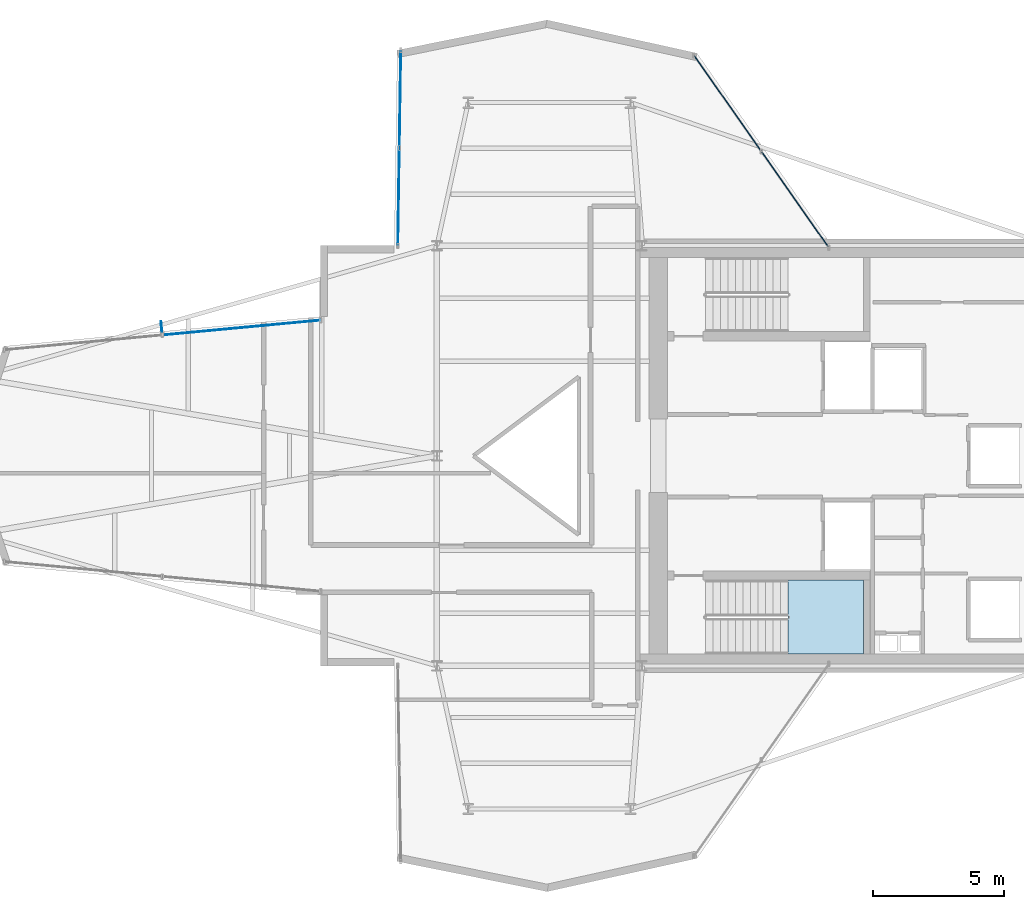
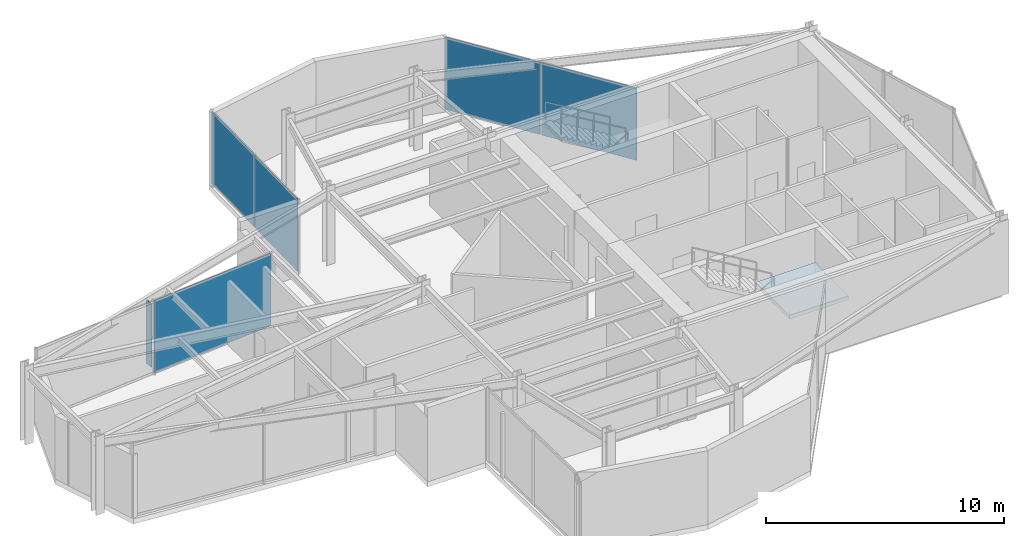
# One storey, part 18 of 22: 6 plates, 1 slab, 4 elements without a shape of their own.
"""IFC4 building model written with IfcOpenShell, lengths in metres."""

from ifc_helpers import new_model, si_unit, direction, frame, origin, origin_2d, place, context, subcontext, project, spatial, polyline, rectangle, outline, extrude, material, layer, layer_set, type_object, element, aggregate, save


model = new_model("IFC4")

# Units and contexts
model_context = context("Model", 3, precision=1e-05, world=origin(), true_north=direction((0.0, 1.0)))
body_context = subcontext(model_context, "Body", "Model", "MODEL_VIEW")
ifc_project = project(units=[si_unit("LENGTHUNIT", "METRE"), si_unit("AREAUNIT", "SQUARE_METRE"), si_unit("VOLUMEUNIT", "CUBIC_METRE"), si_unit("PLANEANGLEUNIT", "RADIAN"), si_unit("MASSUNIT", "GRAM", prefix="KILO")], contexts=[model_context])

# Site, building, storey
site_placement = place(None, origin())
site = spatial("IfcSite", under=ifc_project, at=site_placement, CompositionType="ELEMENT")
building_placement = place(site_placement, origin())
building = spatial("IfcBuilding", under=site, at=building_placement, Name="Veymaron Broadcast Tower", CompositionType="ELEMENT")
storey_placement = place(building_placement, frame((0.0, 0.0, 216.14990234375)))
storey = spatial("IfcBuildingStorey", under=building, at=storey_placement, Name="L50", CompositionType="ELEMENT", Elevation=216.14990234375)

# Curtain wall, plates
ifc_material_1 = material(Name="Anodised aluminium AA 6063-T6 and laminated low-E dark glass", Category="aluminium")
ifc_layer_1 = layer(ifc_material_1, 0.179931640625)
ifc_layer_set_1 = layer_set([ifc_layer_1], Name="Anodised aluminium AA 6063-T6 and laminated low-E dark glass")
curtain_wall_type = type_object("IfcCurtainWallType", Name="CW-SYS-05", PredefinedType="NOTDEFINED", material=ifc_layer_set_1)
curtain_wall_1_placement = place(storey_placement, origin())
curtain_wall_1 = element("IfcCurtainWall", 1, at=curtain_wall_1_placement, inside=storey, type_object=curtain_wall_type, Name="L50 dark-glass curtain wall CW-L50-E5-1", PredefinedType="NOTDEFINED")
ifc_material_2 = material(Name="Double-silver solar-control dark glass IGU 32 mm", Category="glass")
ifc_layer_2 = layer(ifc_material_2, 0.031982421875)
ifc_layer_set_2 = layer_set([ifc_layer_2], Name="Double-silver solar-control dark glass IGU 32 mm")
plate_type_1 = type_object("IfcPlateType", Name="CW-PNL-02", PredefinedType="CURTAIN_PANEL", material=ifc_layer_set_2)
plate_1_placement = place(storey_placement, frame((44.84033203125, 33.752197265625, 0.0400390625), z_axis=(0.0, 0.0, 1.0), x_axis=(-0.573905218834, 0.818921729957, 0.0)))
plate_1 = element("IfcPlate", 2, at=plate_1_placement, type_object=plate_type_1, Name="CW-L50-E5-1 unitised curtain panel 0", PredefinedType="CURTAIN_PANEL", context=body_context, shape_type="SweptSolid", body=[
    extrude(rectangle(XDim=4.415283203125, YDim=0.031982421875, at=origin_2d()), origin(), (0.0, 0.0, 1.0), 3.7099609375),
])
plate_2_placement = place(storey_placement, frame((42.27197265625, 37.417236328125, 0.0400390625), z_axis=(0.0, 0.0, 1.0), x_axis=(-0.573905218834, 0.818921729957, 0.0)))
plate_2 = element("IfcPlate", 3, at=plate_2_placement, type_object=plate_type_1, Name="CW-L50-E5-1 unitised curtain panel 1", PredefinedType="CURTAIN_PANEL", context=body_context, shape_type="SweptSolid", body=[
    extrude(rectangle(XDim=4.415283203125, YDim=0.031982421875, at=origin_2d()), origin(), (0.0, 0.0, 1.0), 3.7099609375),
])
aggregate(curtain_wall_1, [plate_1, plate_2])

curtain_wall_2_placement = place(storey_placement, origin())
curtain_wall_2 = element("IfcCurtainWall", 4, at=curtain_wall_2_placement, inside=storey, type_object=curtain_wall_type, Name="L50 dark-glass curtain wall CW-L50-E8-1", PredefinedType="NOTDEFINED")
plate_3_placement = place(storey_placement, frame((29.798828125, 37.58154296875, 0.0400390625), z_axis=(0.0, 0.0, 1.0), x_axis=(-0.015480452098, -0.999880170622, 0.0)))
plate_3 = element("IfcPlate", 5, at=plate_3_placement, type_object=plate_type_1, Name="CW-L50-E8-1 unitised curtain panel 0", PredefinedType="CURTAIN_PANEL", context=body_context, shape_type="SweptSolid", body=[
    extrude(rectangle(XDim=3.662841796875, YDim=0.031982421875, at=origin_2d()), origin(), (0.0, 0.0, 1.0), 3.7099609375),
])
plate_4_placement = place(storey_placement, frame((29.7412109375, 33.85888671875, 0.0400390625), z_axis=(0.0, 0.0, 1.0), x_axis=(-0.015480452098, -0.999880170622, 0.0)))
plate_4 = element("IfcPlate", 6, at=plate_4_placement, type_object=plate_type_1, Name="CW-L50-E8-1 unitised curtain panel 1", PredefinedType="CURTAIN_PANEL", context=body_context, shape_type="SweptSolid", body=[
    extrude(rectangle(XDim=3.662841796875, YDim=0.031982421875, at=origin_2d()), origin(), (0.0, 0.0, 1.0), 3.7099609375),
])
aggregate(curtain_wall_2, [plate_3, plate_4])

# Curtain wall, plate
curtain_wall_3_placement = place(storey_placement, origin())
curtain_wall_3 = element("IfcCurtainWall", 7, at=curtain_wall_3_placement, inside=storey, type_object=curtain_wall_type, Name="L50 dark-glass curtain wall CW-L50-E11-1", PredefinedType="NOTDEFINED")
plate_5_placement = place(storey_placement, frame((23.758056640625, 28.878662109375, 0.0400390625), z_axis=(0.0, 0.0, 1.0), x_axis=(-0.995642083019, -0.093256863132, 0.0)))
plate_5 = element("IfcPlate", 8, at=plate_5_placement, type_object=plate_type_1, Name="CW-L50-E11-1 unitised curtain panel 0", PredefinedType="CURTAIN_PANEL", context=body_context, shape_type="SweptSolid", body=[
    extrude(rectangle(XDim=5.996337890625, YDim=0.031982421875, at=origin_2d()), origin(), (0.0, 0.0, 1.0), 3.7099609375),
])
aggregate(curtain_wall_3, [plate_5])

# Plate
ifc_material_3 = material(Name="Dark-anodised aluminium AA 6061-T6", Category="aluminium")
ifc_layer_3 = layer(ifc_material_3, 0.031982421875)
ifc_layer_set_3 = layer_set([ifc_layer_3], Name="Dark-anodised aluminium AA 6061-T6")
plate_type_2 = type_object("IfcPlateType", Name="FIN-CHEV-03", PredefinedType="USERDEFINED", material=ifc_layer_set_3)
plate_6_placement = place(storey_placement, frame((20.71240234375, 28.9248046875, 0.26513671875), z_axis=(0.0, 0.0, 1.0), x_axis=(-0.093256863132, 0.995642083019, 0.0)))
element("IfcPlate", 9, at=plate_6_placement, inside=storey, type_object=plate_type_2, Name="CW-L50-E11-1 chevron fin 1", ObjectType="FIN", PredefinedType="USERDEFINED", context=body_context, shape_type="SweptSolid", body=[
    extrude(rectangle(XDim=0.39990234375, YDim=0.034912109375, at=origin_2d()), origin(), (0.0, 0.0, 1.0), 3.259521484375),
])

# Stair, slab
ifc_material_4 = material(Name="Concrete C50/60", Category="concrete")
stair_type = type_object("IfcStairType", Name="STAIR-CORE-2", PredefinedType="HALF_TURN_STAIR", material=ifc_material_4)
stair_placement = place(storey_placement, origin())
stair = element("IfcStair", 10, at=stair_placement, inside=storey, type_object=stair_type, Name="L50 South protected dog-leg exit stair ST2", PredefinedType="HALF_TURN_STAIR")
ifc_layer_4 = layer(ifc_material_4, 0.199951171875)
ifc_layer_set_4 = layer_set([ifc_layer_4], Name="Concrete C50/60")
slab_type = type_object("IfcSlabType", Name="SLAB-STAIR-LDG", PredefinedType="LANDING", material=ifc_layer_set_4)
slab_placement = place(storey_placement, frame((0.0, 0.0, 1.8251953125)))
slab = element("IfcSlab", 11, at=slab_placement, type_object=slab_type, Name="ST2 landing 1", PredefinedType="LANDING", context=body_context, shape_type="SweptSolid", body=[
    extrude(outline(polyline([(44.56494140625, 16.449951171875), (47.43994140625, 16.449951171875), (47.43994140625, 19.27001953125), (44.56494140625, 19.27001953125), (44.56494140625, 16.449951171875)])), origin(), (0.0, 0.0, 1.0), 0.199951171875),
])
aggregate(stair, [slab])

save(model, "model.ifc")
